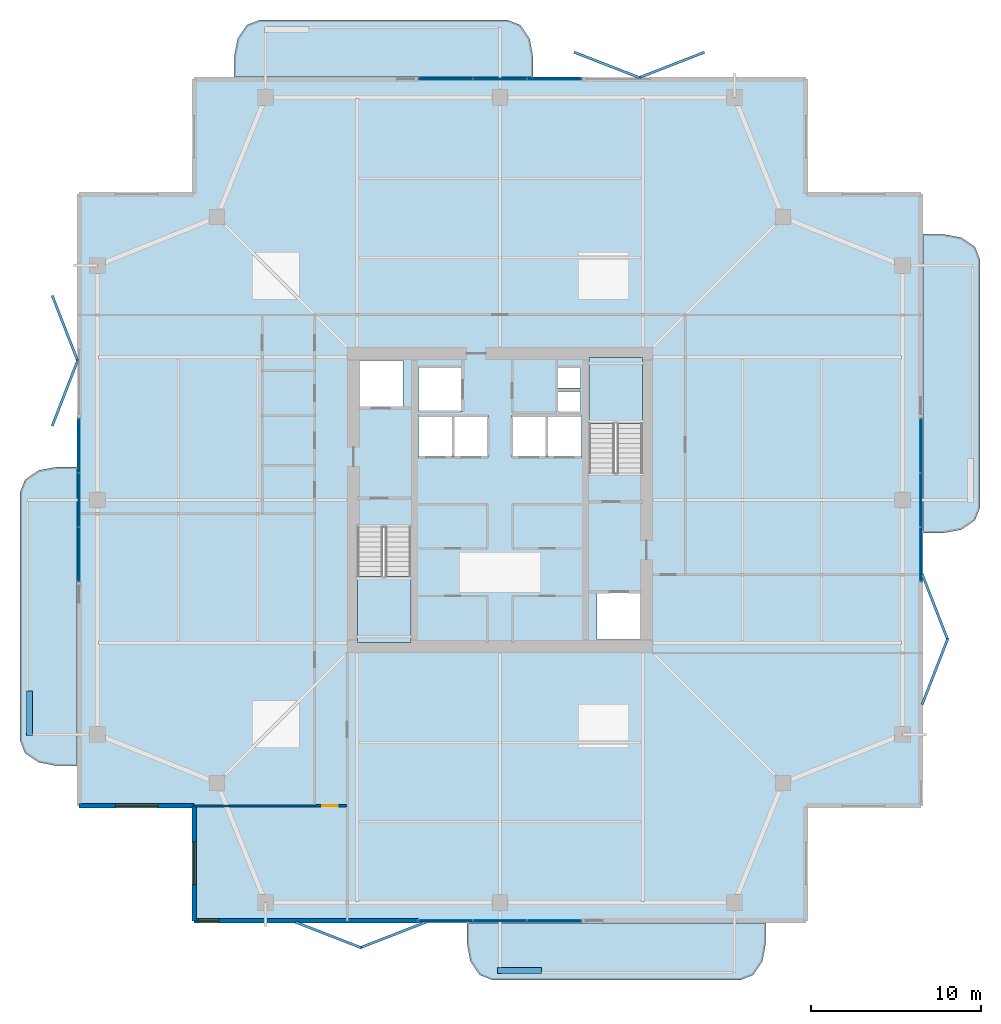
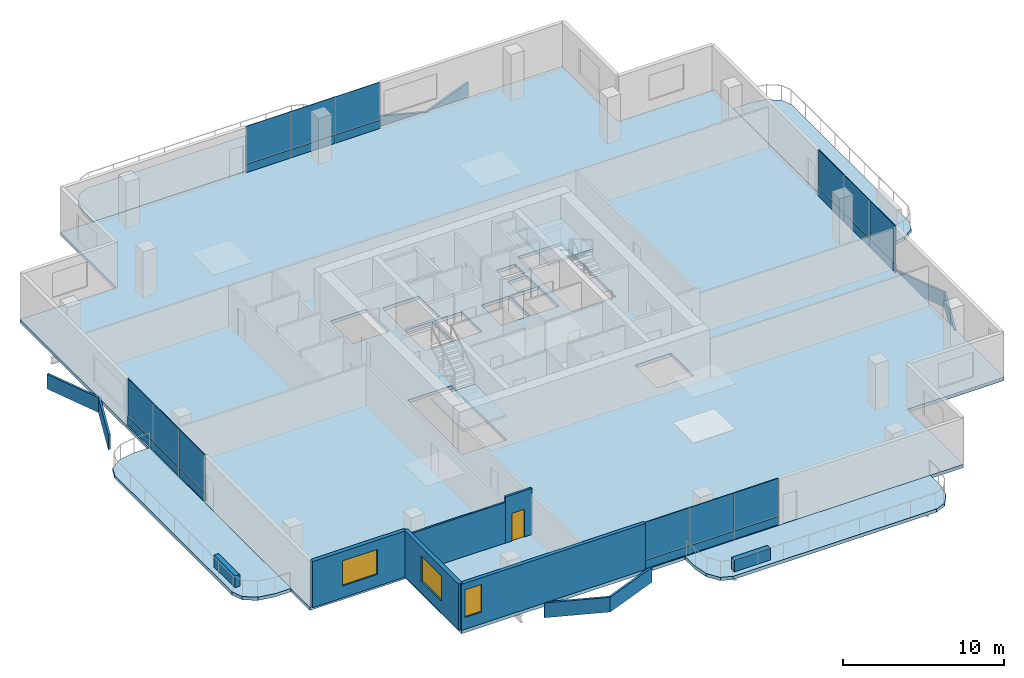
# One storey, part 17 of 24: 32 plates, 7 slabs, 7 walls, 3 windows, 1 door, 4 openings, 6 elements without a shape of their own.
"""IFC4 building model written with IfcOpenShell, lengths in metres."""

import ifcopenshell
import ifcopenshell.guid

model = None  # the IFC model being written
_history = None  # IfcOwnerHistory: only IFC2X3 demands one
_inside = {}  # id of a spatial element -> (the spatial element, [elements in it])
_under = {}  # id of a project, library or spatial element -> (it, [spatial elements below it])
_declared = {}  # id of a project -> (the project, [libraries it declares])
_typed = {}  # id of a type object -> (the type object, [elements of that type])
_made_of = {}  # id of a material, layer set ... -> (it, [elements and type objects made of it])


def new_model(schema):
    """Start an empty IFC model of exactly this schema.

    Asked for "IFC4X3", IfcOpenShell would pick the latest addendum, in which some entities
    have other attributes; the version numbers below select the first issue.
    IFC2X3 requires an IfcOwnerHistory on every rooted entity: one is made here for all.
    """
    global model, _history
    if schema == "IFC4X3":
        model = ifcopenshell.file(schema_version=(4, 3, 0, 0))
    else:
        model = ifcopenshell.file(schema=schema)
    _inside.clear()
    _under.clear()
    _declared.clear()
    _typed.clear()
    _made_of.clear()
    _history = None
    if model.schema == "IFC2X3":
        org = make("IfcOrganization", Name="unknown")
        user = make(
            "IfcPersonAndOrganization",
            ThePerson=make("IfcPerson", FamilyName="unknown"),
            TheOrganization=org,
        )
        app = make(
            "IfcApplication",
            ApplicationDeveloper=org,
            Version="unknown",
            ApplicationFullName="unknown",
            ApplicationIdentifier="unknown",
        )
        _history = make(
            "IfcOwnerHistory",
            OwningUser=user,
            OwningApplication=app,
            ChangeAction="ADDED",
            CreationDate=0,
        )
    return model


def make(cls, **values):
    """One entity of the class cls with the attributes given. An attribute that is None is left unset."""
    return model.create_entity(
        cls, **{name: value for name, value in values.items() if value is not None}
    )


def rooted(cls, **values):
    """An entity with a GlobalId (a new one), such as an element, a storey or a relation."""
    return make(cls, GlobalId=ifcopenshell.guid.new(), OwnerHistory=_history, **values)


def si_unit(unit_type, name, prefix=None):
    """IfcSIUnit, for example si_unit("LENGTHUNIT", "METRE", prefix="MILLI")."""
    return make("IfcSIUnit", UnitType=unit_type, Prefix=prefix, Name=name)


def assignment(units):
    """IfcUnitAssignment: the units of a project."""
    return None if units is None else make("IfcUnitAssignment", Units=units)


def point(xyz):
    """IfcCartesianPoint."""
    return None if xyz is None else make("IfcCartesianPoint", Coordinates=xyz)


def direction(xyz):
    """IfcDirection."""
    return None if xyz is None else make("IfcDirection", DirectionRatios=xyz)


def frame(location, z_axis=None, x_axis=None):
    """IfcAxis2Placement3D, a coordinate frame: its origin and axes. An axis left out is left unset."""
    return make(
        "IfcAxis2Placement3D",
        Location=point(location),
        Axis=direction(z_axis),
        RefDirection=direction(x_axis),
    )


def frame_2d(location, x_axis=None):
    """IfcAxis2Placement2D, a coordinate frame in the plane: its origin and x axis."""
    return make(
        "IfcAxis2Placement2D", Location=point(location), RefDirection=direction(x_axis)
    )


def origin():
    """The frame at (0, 0, 0) with its axes left unset."""
    return frame((0.0, 0.0, 0.0))


def origin_2d():
    """The frame at (0, 0) in the plane with its x axis left unset."""
    return frame_2d((0.0, 0.0))


def place(relative_to, where):
    """IfcLocalPlacement: puts the frame where relative to a parent placement (None: the world)."""
    return make(
        "IfcLocalPlacement", PlacementRelTo=relative_to, RelativePlacement=where
    )


def context(
    kind, dimensions, precision=None, world=None, true_north=None, identifier=None
):
    """IfcGeometricRepresentationContext, for example the 3D "Model" context."""
    return make(
        "IfcGeometricRepresentationContext",
        ContextIdentifier=identifier,
        ContextType=kind,
        CoordinateSpaceDimension=dimensions,
        Precision=precision,
        WorldCoordinateSystem=world,
        TrueNorth=true_north,
    )


def subcontext(parent, identifier, kind, view, scale=None):
    """IfcGeometricRepresentationSubContext, for example "Body" below "Model"."""
    return make(
        "IfcGeometricRepresentationSubContext",
        ContextIdentifier=identifier,
        ContextType=kind,
        ParentContext=parent,
        TargetScale=scale,
        TargetView=view,
    )


def project(units=None, contexts=None):
    """IfcProject with its units and contexts."""
    return rooted(
        "IfcProject",
        Name="project",
        RepresentationContexts=contexts,
        UnitsInContext=assignment(units),
    )


def spatial(cls, under=None, at=None, **own):
    """A site, building, storey or space (cls), placed at a placement, below another one or the project."""
    s = rooted(cls, ObjectPlacement=at, **own)
    if under is not None:
        _under.setdefault(under.id(), (under, []))[1].append(s)
    return s


def polyline(points):
    """IfcPolyline through the points."""
    return make("IfcPolyline", Points=[point(p) for p in points])


def profile(cls, at=None, kind="AREA", **sizes):
    """A parametric profile (cls). Its sizes go by their IFC names, for example OverallWidth=200.0."""
    return make(cls, ProfileType=kind, Position=at, **sizes)


def rectangle(**sizes):
    """IfcRectangleProfileDef."""
    return profile("IfcRectangleProfileDef", **sizes)


def outline(outer, holes=None, kind="AREA"):
    """IfcArbitraryClosedProfileDef: a profile drawn as a closed curve; with holes, ...WithVoids."""
    if holes is None:
        return make("IfcArbitraryClosedProfileDef", ProfileType=kind, OuterCurve=outer)
    return make(
        "IfcArbitraryProfileDefWithVoids",
        ProfileType=kind,
        OuterCurve=outer,
        InnerCurves=holes,
    )


def extrude(swept, where, along, depth):
    """IfcExtrudedAreaSolid: the profile swept, set in the frame where, extruded along a direction by depth."""
    return make(
        "IfcExtrudedAreaSolid",
        SweptArea=swept,
        Position=where,
        ExtrudedDirection=direction(along),
        Depth=depth,
    )


def shape(context_of_items, identifier, shape_type, items):
    """IfcShapeRepresentation: the items that make up one representation, for example the "Body"."""
    return make(
        "IfcShapeRepresentation",
        ContextOfItems=context_of_items,
        RepresentationIdentifier=identifier,
        RepresentationType=shape_type,
        Items=items,
    )


def material(Name=None, Category=None):
    """IfcMaterial."""
    return make("IfcMaterial", Name=Name, Category=Category)


def layer(
    of_material, thickness, ventilated=None, Name=None, Category=None, Priority=None
):
    """IfcMaterialLayer: one layer of a wall or slab, of a material (None: an air gap)."""
    return make(
        "IfcMaterialLayer",
        Material=of_material,
        LayerThickness=thickness,
        IsVentilated=ventilated,
        Name=Name,
        Category=Category,
        Priority=Priority,
    )


def layer_set(layers, Name=None):
    """IfcMaterialLayerSet."""
    return make("IfcMaterialLayerSet", MaterialLayers=layers, LayerSetName=Name)


def made_of(thing, what):
    """Note that an element or type object is made of a material, layer set ...; save() writes the relation."""
    if what is not None:
        _made_of.setdefault(what.id(), (what, []))[1].append(thing)
    return thing


def type_object(cls, material=None, **own):
    """A type object (cls), such as IfcWallType, which elements share."""
    return made_of(rooted(cls, **own), material)


def element(
    cls,
    number,
    at=None,
    inside=None,
    cuts=None,
    type_object=None,
    material=None,
    context=None,
    identifier="Body",
    shape_type=None,
    held_by="IfcProductDefinitionShape",
    body=None,
    shapes=None,
    **own,
):
    """One element of the class cls, such as IfcWall. Its Tag is "e" and its number.

    at: its placement. inside: the storey or other place that contains it. cuts: it is an
    opening in that element (IfcRelVoidsElement). A single representation is given by context,
    identifier, shape_type and body (its items); several are given by shapes. held_by: the class
    of the entity that holds the representations. save() writes the other relations.
    """
    e = rooted(cls, Tag="e%d" % number, ObjectPlacement=at, **own)
    if body is not None:
        shapes = [shape(context, identifier, shape_type, body)]
    if shapes is not None:
        e.Representation = make(held_by, Representations=shapes)
    if inside is not None:
        _inside.setdefault(inside.id(), (inside, []))[1].append(e)
    if cuts is not None:
        rooted(
            "IfcRelVoidsElement", RelatingBuildingElement=cuts, RelatedOpeningElement=e
        )
    if type_object is not None:
        _typed.setdefault(type_object.id(), (type_object, []))[1].append(e)
    return made_of(e, material)


def fill(opening, filler):
    """IfcRelFillsElement: the door or window that sits in an opening."""
    return rooted(
        "IfcRelFillsElement",
        RelatingOpeningElement=opening,
        RelatedBuildingElement=filler,
    )


def aggregate(whole, parts):
    """IfcRelAggregates: a whole, such as a stair, and the parts it consists of."""
    return rooted("IfcRelAggregates", RelatingObject=whole, RelatedObjects=parts)


def save(model, path):
    """Write the relations noted so far, then the file.

    IfcRelAggregates (storeys below a building ...), IfcRelContainedInSpatialStructure (elements
    in a storey), IfcRelDefinesByType, IfcRelAssociatesMaterial and IfcRelDeclares: one each for
    every whole, place, type object, material and project.
    """
    for whole, parts in _under.values():
        aggregate(whole, parts)
    for where, things in _inside.values():
        rooted(
            "IfcRelContainedInSpatialStructure",
            RelatedElements=things,
            RelatingStructure=where,
        )
    for kind, things in _typed.values():
        rooted("IfcRelDefinesByType", RelatedObjects=things, RelatingType=kind)
    for what, things in _made_of.values():
        rooted("IfcRelAssociatesMaterial", RelatedObjects=things, RelatingMaterial=what)
    for by, libraries in _declared.values():
        rooted("IfcRelDeclares", RelatingContext=by, RelatedDefinitions=libraries)
    model.write(path)


model = new_model("IFC4")

# Units and contexts
model_context = context("Model", 3, precision=1e-05, world=origin(), true_north=direction((0.0, 1.0)))
body_context = subcontext(model_context, "Body", "Model", "MODEL_VIEW")
ifc_project = project(units=[si_unit("LENGTHUNIT", "METRE"), si_unit("AREAUNIT", "SQUARE_METRE"), si_unit("VOLUMEUNIT", "CUBIC_METRE"), si_unit("PLANEANGLEUNIT", "RADIAN"), si_unit("MASSUNIT", "GRAM", prefix="KILO")], contexts=[model_context])

# Site, building, storey
site_placement = place(None, origin())
site = spatial("IfcSite", under=ifc_project, at=site_placement, CompositionType="ELEMENT")
building_placement = place(site_placement, origin())
building = spatial("IfcBuilding", under=site, at=building_placement, Name="Belovzor Exchange Tower", CompositionType="ELEMENT")
storey_placement = place(building_placement, frame((0.0, 0.0, 261.60009765625)))
storey = spatial("IfcBuildingStorey", under=building, at=storey_placement, Name="L65", CompositionType="ELEMENT", Elevation=261.60009765625)

# Slab
ifc_material_1 = material(Name="Concrete C40/50", Category="concrete")
ifc_layer_1 = layer(ifc_material_1, 0.25)
ifc_layer_set_1 = layer_set([ifc_layer_1], Name="Concrete C40/50")
slab_type_1 = type_object("IfcSlabType", Name="Composite Concrete Floor Deck Slab 250", PredefinedType="FLOOR", material=ifc_layer_set_1)
slab_1_placement = place(storey_placement, frame((0.0, 0.0, -0.25)))
element("IfcSlab", 1, at=slab_1_placement, inside=storey, type_object=slab_type_1, Name="SL-F250 Structural Slab L65", PredefinedType="FLOOR", context=body_context, shape_type="SweptSolid", body=[
    extrude(outline(polyline([(10.800048828125, 3.89990234375), (46.800048828125, 3.89990234375), (46.800048828125, 10.800048828125), (53.699951171875, 10.800048828125), (53.699951171875, 46.800048828125), (46.800048828125, 46.800048828125), (46.800048828125, 53.699951171875), (10.800048828125, 53.699951171875), (10.800048828125, 46.800048828125), (3.89990234375, 46.800048828125), (3.89990234375, 10.800048828125), (10.800048828125, 10.800048828125), (10.800048828125, 3.89990234375)]), holes=[polyline([(20.39990234375, 27.175048828125), (20.39990234375, 20.39990234375), (23.550048828125, 20.39990234375), (23.550048828125, 27.175048828125), (20.39990234375, 27.175048828125)]), polyline([(37.199951171875, 30.425048828125), (37.199951171875, 37.199951171875), (34.050048828125, 37.199951171875), (34.050048828125, 30.425048828125), (37.199951171875, 30.425048828125)]), polyline([(20.5, 34.199951171875), (23.10009765625, 34.199951171875), (23.10009765625, 37.0), (20.5, 37.0), (20.5, 34.199951171875)]), polyline([(34.5, 20.60009765625), (37.10009765625, 20.60009765625), (37.10009765625, 23.39990234375), (34.5, 23.39990234375), (34.5, 20.60009765625)]), polyline([(24.0, 34.0), (26.60009765625, 34.0), (26.60009765625, 36.60009765625), (24.0, 36.60009765625), (24.0, 34.0)]), polyline([(24.0, 31.300048828125), (26.0, 31.300048828125), (26.0, 33.800048828125), (24.0, 33.800048828125), (24.0, 31.300048828125)]), polyline([(26.10009765625, 31.300048828125), (28.10009765625, 31.300048828125), (28.10009765625, 33.800048828125), (26.10009765625, 33.800048828125), (26.10009765625, 31.300048828125)]), polyline([(29.5, 31.300048828125), (31.5, 31.300048828125), (31.5, 33.800048828125), (29.5, 33.800048828125), (29.5, 31.300048828125)]), polyline([(31.60009765625, 31.300048828125), (33.60009765625, 31.300048828125), (33.60009765625, 33.800048828125), (31.60009765625, 33.800048828125), (31.60009765625, 31.300048828125)]), polyline([(32.199951171875, 34.0), (33.550048828125, 34.0), (33.550048828125, 35.199951171875), (32.199951171875, 35.199951171875), (32.199951171875, 34.0)]), polyline([(32.199951171875, 35.39990234375), (33.550048828125, 35.39990234375), (33.550048828125, 36.60009765625), (32.199951171875, 36.60009765625), (32.199951171875, 35.39990234375)])]), origin(), (0.0, 0.0, 1.0), 0.25),
])

# Curtain wall, plates
ifc_material_2 = material(Name="Anodised Aluminium Framing", Category="aluminium")
ifc_layer_2 = layer(ifc_material_2, 0.179931640625)
ifc_layer_set_2 = layer_set([ifc_layer_2], Name="Anodised Aluminium Framing")
curtain_wall_type = type_object("IfcCurtainWallType", Name="Recessed Loggia Low-Iron Triple-Glazed Curtain Wall", PredefinedType="NOTDEFINED", material=ifc_layer_set_2)
curtain_wall_1_placement = place(storey_placement, origin())
curtain_wall_1 = element("IfcCurtainWall", 2, at=curtain_wall_1_placement, inside=storey, type_object=curtain_wall_type, Name="CW3 Recessed Loggia Low-Iron Triple-Glazed Curtain Wall L65", PredefinedType="NOTDEFINED")
ifc_material_3 = material(Name="Solar-Control Triple Glazing", Category="glass")
ifc_layer_3 = layer(ifc_material_3, 0.0439453125)
ifc_layer_set_3 = layer_set([ifc_layer_3], Name="Solar-Control Triple Glazing")
plate_type_1 = type_object("IfcPlateType", Name="Insulated Solar Glazing Curtain Panel 44", PredefinedType="CURTAIN_PANEL", material=ifc_layer_set_3)
plate_1_placement = place(storey_placement, frame((32.0, 4.030029296875, 0.6318359375), z_axis=(0.0, 0.0, 1.0), x_axis=(-1.0, 0.0, 0.0)))
plate_1 = element("IfcPlate", 3, at=plate_1_placement, type_object=plate_type_1, Name="GLZ-44 Glazed Curtain Panel 1", PredefinedType="CURTAIN_PANEL", context=body_context, shape_type="SweptSolid", body=[
    extrude(rectangle(XDim=3.18408203125, YDim=0.0439453125, at=origin_2d()), origin(), (0.0, 0.0, 1.0), 2.867919921875),
])
plate_2_placement = place(storey_placement, frame((28.800048828125, 4.030029296875, 0.6318359375), z_axis=(0.0, 0.0, 1.0), x_axis=(-1.0, 0.0, 0.0)))
plate_2 = element("IfcPlate", 4, at=plate_2_placement, type_object=plate_type_1, Name="GLZ-44 Glazed Curtain Panel 2", PredefinedType="CURTAIN_PANEL", context=body_context, shape_type="SweptSolid", body=[
    extrude(rectangle(XDim=3.18408203125, YDim=0.0439453125, at=origin_2d()), origin(), (0.0, 0.0, 1.0), 2.867919921875),
])
plate_3_placement = place(storey_placement, frame((25.60009765625, 4.030029296875, 0.6318359375), z_axis=(0.0, 0.0, 1.0), x_axis=(-1.0, 0.0, 0.0)))
plate_3 = element("IfcPlate", 5, at=plate_3_placement, type_object=plate_type_1, Name="GLZ-44 Glazed Curtain Panel 3", PredefinedType="CURTAIN_PANEL", context=body_context, shape_type="SweptSolid", body=[
    extrude(rectangle(XDim=3.18408203125, YDim=0.0439453125, at=origin_2d()), origin(), (0.0, 0.0, 1.0), 2.867919921875),
])

curtain_wall_2_placement = place(storey_placement, origin())
curtain_wall_2 = element("IfcCurtainWall", 6, at=curtain_wall_2_placement, inside=storey, type_object=curtain_wall_type, Name="CW3 Recessed Loggia Low-Iron Triple-Glazed Curtain Wall L65", PredefinedType="NOTDEFINED")
plate_4_placement = place(storey_placement, frame((25.60009765625, 53.570068359375, 0.6318359375), z_axis=(0.0, 0.0, 1.0), x_axis=(1.0, 0.0, 0.0)))
plate_4 = element("IfcPlate", 7, at=plate_4_placement, type_object=plate_type_1, Name="GLZ-44 Glazed Curtain Panel 1", PredefinedType="CURTAIN_PANEL", context=body_context, shape_type="SweptSolid", body=[
    extrude(rectangle(XDim=3.18408203125, YDim=0.0439453125, at=origin_2d()), origin(), (0.0, 0.0, 1.0), 2.867919921875),
])
plate_5_placement = place(storey_placement, frame((28.800048828125, 53.570068359375, 0.6318359375), z_axis=(0.0, 0.0, 1.0), x_axis=(1.0, 0.0, 0.0)))
plate_5 = element("IfcPlate", 8, at=plate_5_placement, type_object=plate_type_1, Name="GLZ-44 Glazed Curtain Panel 2", PredefinedType="CURTAIN_PANEL", context=body_context, shape_type="SweptSolid", body=[
    extrude(rectangle(XDim=3.18408203125, YDim=0.0439453125, at=origin_2d()), origin(), (0.0, 0.0, 1.0), 2.867919921875),
])
plate_6_placement = place(storey_placement, frame((32.0, 53.570068359375, 0.6318359375), z_axis=(0.0, 0.0, 1.0), x_axis=(1.0, 0.0, 0.0)))
plate_6 = element("IfcPlate", 9, at=plate_6_placement, type_object=plate_type_1, Name="GLZ-44 Glazed Curtain Panel 3", PredefinedType="CURTAIN_PANEL", context=body_context, shape_type="SweptSolid", body=[
    extrude(rectangle(XDim=3.18408203125, YDim=0.0439453125, at=origin_2d()), origin(), (0.0, 0.0, 1.0), 2.867919921875),
])

curtain_wall_3_placement = place(storey_placement, origin())
curtain_wall_3 = element("IfcCurtainWall", 10, at=curtain_wall_3_placement, inside=storey, type_object=curtain_wall_type, Name="CW3 Recessed Loggia Low-Iron Triple-Glazed Curtain Wall L65", PredefinedType="NOTDEFINED")
plate_7_placement = place(storey_placement, frame((4.030029296875, 25.60009765625, 0.6318359375), z_axis=(0.0, 0.0, 1.0), x_axis=(0.0, 1.0, 0.0)))
plate_7 = element("IfcPlate", 11, at=plate_7_placement, type_object=plate_type_1, Name="GLZ-44 Glazed Curtain Panel 1", PredefinedType="CURTAIN_PANEL", context=body_context, shape_type="SweptSolid", body=[
    extrude(rectangle(XDim=3.18408203125, YDim=0.0439453125, at=origin_2d()), origin(), (0.0, 0.0, 1.0), 2.867919921875),
])
plate_8_placement = place(storey_placement, frame((4.030029296875, 28.800048828125, 0.6318359375), z_axis=(0.0, 0.0, 1.0), x_axis=(0.0, 1.0, 0.0)))
plate_8 = element("IfcPlate", 12, at=plate_8_placement, type_object=plate_type_1, Name="GLZ-44 Glazed Curtain Panel 2", PredefinedType="CURTAIN_PANEL", context=body_context, shape_type="SweptSolid", body=[
    extrude(rectangle(XDim=3.18408203125, YDim=0.0439453125, at=origin_2d()), origin(), (0.0, 0.0, 1.0), 2.867919921875),
])
plate_9_placement = place(storey_placement, frame((4.030029296875, 32.0, 0.6318359375), z_axis=(0.0, 0.0, 1.0), x_axis=(0.0, 1.0, 0.0)))
plate_9 = element("IfcPlate", 13, at=plate_9_placement, type_object=plate_type_1, Name="GLZ-44 Glazed Curtain Panel 3", PredefinedType="CURTAIN_PANEL", context=body_context, shape_type="SweptSolid", body=[
    extrude(rectangle(XDim=3.18408203125, YDim=0.0439453125, at=origin_2d()), origin(), (0.0, 0.0, 1.0), 2.867919921875),
])

curtain_wall_4_placement = place(storey_placement, origin())
curtain_wall_4 = element("IfcCurtainWall", 14, at=curtain_wall_4_placement, inside=storey, type_object=curtain_wall_type, Name="CW3 Recessed Loggia Low-Iron Triple-Glazed Curtain Wall L65", PredefinedType="NOTDEFINED")
plate_10_placement = place(storey_placement, frame((53.570068359375, 32.0, 0.6318359375), z_axis=(0.0, 0.0, 1.0), x_axis=(0.0, -1.0, 0.0)))
plate_10 = element("IfcPlate", 15, at=plate_10_placement, type_object=plate_type_1, Name="GLZ-44 Glazed Curtain Panel 1", PredefinedType="CURTAIN_PANEL", context=body_context, shape_type="SweptSolid", body=[
    extrude(rectangle(XDim=3.18408203125, YDim=0.0439453125, at=origin_2d()), origin(), (0.0, 0.0, 1.0), 2.867919921875),
])
plate_11_placement = place(storey_placement, frame((53.570068359375, 28.800048828125, 0.6318359375), z_axis=(0.0, 0.0, 1.0), x_axis=(0.0, -1.0, 0.0)))
plate_11 = element("IfcPlate", 16, at=plate_11_placement, type_object=plate_type_1, Name="GLZ-44 Glazed Curtain Panel 2", PredefinedType="CURTAIN_PANEL", context=body_context, shape_type="SweptSolid", body=[
    extrude(rectangle(XDim=3.18408203125, YDim=0.0439453125, at=origin_2d()), origin(), (0.0, 0.0, 1.0), 2.867919921875),
])
plate_12_placement = place(storey_placement, frame((53.570068359375, 25.60009765625, 0.6318359375), z_axis=(0.0, 0.0, 1.0), x_axis=(0.0, -1.0, 0.0)))
plate_12 = element("IfcPlate", 17, at=plate_12_placement, type_object=plate_type_1, Name="GLZ-44 Glazed Curtain Panel 3", PredefinedType="CURTAIN_PANEL", context=body_context, shape_type="SweptSolid", body=[
    extrude(rectangle(XDim=3.18408203125, YDim=0.0439453125, at=origin_2d()), origin(), (0.0, 0.0, 1.0), 2.867919921875),
])

# Stair, slab
ifc_material_4 = material(Name="Concrete C40/50", Category="concrete")
stair_type = type_object("IfcStairType", Name="Reinforced Concrete Dogleg Escape Stair 1350", PredefinedType="HALF_TURN_STAIR", material=ifc_material_4)
stair_1_placement = place(storey_placement, origin())
stair_1 = element("IfcStair", 18, at=stair_1_placement, inside=storey, type_object=stair_type, Name="L65 ST-1", PredefinedType="HALF_TURN_STAIR")
ifc_material_5 = material(Name="Concrete C40/50", Category="concrete")
ifc_layer_4 = layer(ifc_material_5, 0.199951171875)
ifc_layer_set_4 = layer_set([ifc_layer_4], Name="Concrete C40/50")
slab_type_2 = type_object("IfcSlabType", Name="Reinforced Concrete Stair Half-Landing Slab 200", PredefinedType="LANDING", material=ifc_layer_set_4)
slab_2_placement = place(storey_placement, frame((0.0, 0.0, 1.6748046875)))
slab_2 = element("IfcSlab", 19, at=slab_2_placement, type_object=slab_type_2, Name="ST-1 landing 1", PredefinedType="LANDING", context=body_context, shape_type="SweptSolid", body=[
    extrude(outline(polyline([(20.39990234375, 24.300048828125), (20.39990234375, 20.39990234375), (23.550048828125, 20.39990234375), (23.550048828125, 24.300048828125), (20.39990234375, 24.300048828125)])), origin(), (0.0, 0.0, 1.0), 0.2001953125),
])
aggregate(stair_1, [slab_2])

stair_2_placement = place(storey_placement, origin())
stair_2 = element("IfcStair", 20, at=stair_2_placement, inside=storey, type_object=stair_type, Name="L65 ST-2", PredefinedType="HALF_TURN_STAIR")
slab_3_placement = place(storey_placement, frame((0.0, 0.0, 1.6748046875)))
slab_3 = element("IfcSlab", 21, at=slab_3_placement, type_object=slab_type_2, Name="ST-2 landing 1", PredefinedType="LANDING", context=body_context, shape_type="SweptSolid", body=[
    extrude(outline(polyline([(37.199951171875, 33.300048828125), (37.199951171875, 37.199951171875), (34.050048828125, 37.199951171875), (34.050048828125, 33.300048828125), (37.199951171875, 33.300048828125)])), origin(), (0.0, 0.0, 1.0), 0.2001953125),
])
aggregate(stair_2, [slab_3])

# Plate
ifc_material_6 = material(Name="Extruded Architectural Terracotta", Category="masonry")
ifc_layer_5 = layer(ifc_material_6, 0.090087890625)
ifc_layer_set_5 = layer_set([ifc_layer_5], Name="Extruded Architectural Terracotta")
plate_type_2 = type_object("IfcPlateType", Name="Terracotta Shadow-Box Spandrel Panel 90", PredefinedType="CURTAIN_PANEL", material=ifc_layer_set_5)
plate_13_placement = place(storey_placement, frame((32.0, 4.030029296875, 0.0), z_axis=(0.0, 0.0, 1.0), x_axis=(-1.0, 0.0, 0.0)))
plate_13 = element("IfcPlate", 22, at=plate_13_placement, type_object=plate_type_2, Name="SPD-90 Spandrel Panel 1", PredefinedType="CURTAIN_PANEL", context=body_context, shape_type="SweptSolid", body=[
    extrude(rectangle(XDim=3.18408203125, YDim=0.090087890625, at=origin_2d()), origin(), (0.0, 0.0, 1.0), 0.6279296875),
])

plate_14_placement = place(storey_placement, frame((28.800048828125, 4.030029296875, 0.0), z_axis=(0.0, 0.0, 1.0), x_axis=(-1.0, 0.0, 0.0)))
plate_14 = element("IfcPlate", 23, at=plate_14_placement, type_object=plate_type_2, Name="SPD-90 Spandrel Panel 2", PredefinedType="CURTAIN_PANEL", context=body_context, shape_type="SweptSolid", body=[
    extrude(rectangle(XDim=3.18408203125, YDim=0.090087890625, at=origin_2d()), origin(), (0.0, 0.0, 1.0), 0.6279296875),
])

plate_15_placement = place(storey_placement, frame((25.60009765625, 4.030029296875, 0.0), z_axis=(0.0, 0.0, 1.0), x_axis=(-1.0, 0.0, 0.0)))
plate_15 = element("IfcPlate", 24, at=plate_15_placement, type_object=plate_type_2, Name="SPD-90 Spandrel Panel 3", PredefinedType="CURTAIN_PANEL", context=body_context, shape_type="SweptSolid", body=[
    extrude(rectangle(XDim=3.18408203125, YDim=0.090087890625, at=origin_2d()), origin(), (0.0, 0.0, 1.0), 0.6279296875),
])

aggregate(curtain_wall_1, [plate_13, plate_1, plate_14, plate_2, plate_15, plate_3])

plate_16_placement = place(storey_placement, frame((25.60009765625, 53.570068359375, 0.0), z_axis=(0.0, 0.0, 1.0), x_axis=(1.0, 0.0, 0.0)))
plate_16 = element("IfcPlate", 25, at=plate_16_placement, type_object=plate_type_2, Name="SPD-90 Spandrel Panel 1", PredefinedType="CURTAIN_PANEL", context=body_context, shape_type="SweptSolid", body=[
    extrude(rectangle(XDim=3.18408203125, YDim=0.090087890625, at=origin_2d()), origin(), (0.0, 0.0, 1.0), 0.6279296875),
])

plate_17_placement = place(storey_placement, frame((28.800048828125, 53.570068359375, 0.0), z_axis=(0.0, 0.0, 1.0), x_axis=(1.0, 0.0, 0.0)))
plate_17 = element("IfcPlate", 26, at=plate_17_placement, type_object=plate_type_2, Name="SPD-90 Spandrel Panel 2", PredefinedType="CURTAIN_PANEL", context=body_context, shape_type="SweptSolid", body=[
    extrude(rectangle(XDim=3.18408203125, YDim=0.090087890625, at=origin_2d()), origin(), (0.0, 0.0, 1.0), 0.6279296875),
])

plate_18_placement = place(storey_placement, frame((32.0, 53.570068359375, 0.0), z_axis=(0.0, 0.0, 1.0), x_axis=(1.0, 0.0, 0.0)))
plate_18 = element("IfcPlate", 27, at=plate_18_placement, type_object=plate_type_2, Name="SPD-90 Spandrel Panel 3", PredefinedType="CURTAIN_PANEL", context=body_context, shape_type="SweptSolid", body=[
    extrude(rectangle(XDim=3.18408203125, YDim=0.090087890625, at=origin_2d()), origin(), (0.0, 0.0, 1.0), 0.6279296875),
])

aggregate(curtain_wall_2, [plate_16, plate_4, plate_17, plate_5, plate_18, plate_6])

plate_19_placement = place(storey_placement, frame((4.030029296875, 25.60009765625, 0.0), z_axis=(0.0, 0.0, 1.0), x_axis=(0.0, 1.0, 0.0)))
plate_19 = element("IfcPlate", 28, at=plate_19_placement, type_object=plate_type_2, Name="SPD-90 Spandrel Panel 1", PredefinedType="CURTAIN_PANEL", context=body_context, shape_type="SweptSolid", body=[
    extrude(rectangle(XDim=3.18408203125, YDim=0.090087890625, at=origin_2d()), origin(), (0.0, 0.0, 1.0), 0.6279296875),
])

plate_20_placement = place(storey_placement, frame((4.030029296875, 28.800048828125, 0.0), z_axis=(0.0, 0.0, 1.0), x_axis=(0.0, 1.0, 0.0)))
plate_20 = element("IfcPlate", 29, at=plate_20_placement, type_object=plate_type_2, Name="SPD-90 Spandrel Panel 2", PredefinedType="CURTAIN_PANEL", context=body_context, shape_type="SweptSolid", body=[
    extrude(rectangle(XDim=3.18408203125, YDim=0.090087890625, at=origin_2d()), origin(), (0.0, 0.0, 1.0), 0.6279296875),
])

plate_21_placement = place(storey_placement, frame((4.030029296875, 32.0, 0.0), z_axis=(0.0, 0.0, 1.0), x_axis=(0.0, 1.0, 0.0)))
plate_21 = element("IfcPlate", 30, at=plate_21_placement, type_object=plate_type_2, Name="SPD-90 Spandrel Panel 3", PredefinedType="CURTAIN_PANEL", context=body_context, shape_type="SweptSolid", body=[
    extrude(rectangle(XDim=3.18408203125, YDim=0.090087890625, at=origin_2d()), origin(), (0.0, 0.0, 1.0), 0.6279296875),
])

aggregate(curtain_wall_3, [plate_19, plate_7, plate_20, plate_8, plate_21, plate_9])

plate_22_placement = place(storey_placement, frame((53.570068359375, 32.0, 0.0), z_axis=(0.0, 0.0, 1.0), x_axis=(0.0, -1.0, 0.0)))
plate_22 = element("IfcPlate", 31, at=plate_22_placement, type_object=plate_type_2, Name="SPD-90 Spandrel Panel 1", PredefinedType="CURTAIN_PANEL", context=body_context, shape_type="SweptSolid", body=[
    extrude(rectangle(XDim=3.18408203125, YDim=0.090087890625, at=origin_2d()), origin(), (0.0, 0.0, 1.0), 0.6279296875),
])

plate_23_placement = place(storey_placement, frame((53.570068359375, 28.800048828125, 0.0), z_axis=(0.0, 0.0, 1.0), x_axis=(0.0, -1.0, 0.0)))
plate_23 = element("IfcPlate", 32, at=plate_23_placement, type_object=plate_type_2, Name="SPD-90 Spandrel Panel 2", PredefinedType="CURTAIN_PANEL", context=body_context, shape_type="SweptSolid", body=[
    extrude(rectangle(XDim=3.18408203125, YDim=0.090087890625, at=origin_2d()), origin(), (0.0, 0.0, 1.0), 0.6279296875),
])

plate_24_placement = place(storey_placement, frame((53.570068359375, 25.60009765625, 0.0), z_axis=(0.0, 0.0, 1.0), x_axis=(0.0, -1.0, 0.0)))
plate_24 = element("IfcPlate", 33, at=plate_24_placement, type_object=plate_type_2, Name="SPD-90 Spandrel Panel 3", PredefinedType="CURTAIN_PANEL", context=body_context, shape_type="SweptSolid", body=[
    extrude(rectangle(XDim=3.18408203125, YDim=0.090087890625, at=origin_2d()), origin(), (0.0, 0.0, 1.0), 0.6279296875),
])

aggregate(curtain_wall_4, [plate_22, plate_10, plate_23, plate_11, plate_24, plate_12])

# Slabs
ifc_material_7 = material(Name="Concrete C40/50", Category="concrete")
ifc_layer_6 = layer(ifc_material_7, 0.25)
ifc_layer_set_6 = layer_set([ifc_layer_6], Name="Concrete C40/50")
slab_type_3 = type_object("IfcSlabType", Name="Thermally Broken Planted Balcony Slab 250", PredefinedType="FLOOR", material=ifc_layer_set_6)
slab_4_placement = place(storey_placement, frame((0.0, 0.0, -0.25)))
element("IfcSlab", 34, at=slab_4_placement, inside=storey, type_object=slab_type_3, Name="SL-BAL220 Planted Balcony Loggia L65 South", PredefinedType="FLOOR", context=body_context, shape_type="SweptSolid", body=[
    extrude(outline(polyline([(26.85009765625, 3.9150390625), (26.85009765625, 2.75), (27.051025390625, 1.64990234375), (27.60009765625, 0.844970703125), (28.35009765625, 0.550048828125), (42.949951171875, 0.550048828125), (43.699951171875, 0.844970703125), (44.2490234375, 1.64990234375), (44.449951171875, 2.75), (44.449951171875, 3.9150390625), (26.85009765625, 3.9150390625)])), origin(), (0.0, 0.0, 1.0), 0.25),
])
slab_5_placement = place(storey_placement, frame((0.0, 0.0, -0.25)))
element("IfcSlab", 35, at=slab_5_placement, inside=storey, type_object=slab_type_3, Name="SL-BAL220 Planted Balcony Loggia L65 North", PredefinedType="FLOOR", context=body_context, shape_type="SweptSolid", body=[
    extrude(outline(polyline([(30.75, 53.68505859375), (30.75, 54.85009765625), (30.549072265625, 55.949951171875), (30.0, 56.7548828125), (29.25, 57.050048828125), (14.64990234375, 57.050048828125), (13.89990234375, 56.7548828125), (13.35107421875, 55.949951171875), (13.14990234375, 54.85009765625), (13.14990234375, 53.68505859375), (30.75, 53.68505859375)])), origin(), (0.0, 0.0, 1.0), 0.25),
])
slab_6_placement = place(storey_placement, frame((0.0, 0.0, -0.25)))
element("IfcSlab", 36, at=slab_6_placement, inside=storey, type_object=slab_type_3, Name="SL-BAL220 Planted Balcony Loggia L65 East", PredefinedType="FLOOR", context=body_context, shape_type="SweptSolid", body=[
    extrude(outline(polyline([(53.68505859375, 26.85009765625), (54.85009765625, 26.85009765625), (55.949951171875, 27.051025390625), (56.7548828125, 27.60009765625), (57.050048828125, 28.35009765625), (57.050048828125, 42.949951171875), (56.7548828125, 43.699951171875), (55.949951171875, 44.2490234375), (54.85009765625, 44.449951171875), (53.68505859375, 44.449951171875), (53.68505859375, 26.85009765625)])), origin(), (0.0, 0.0, 1.0), 0.25),
])
slab_7_placement = place(storey_placement, frame((0.0, 0.0, -0.25)))
element("IfcSlab", 37, at=slab_7_placement, inside=storey, type_object=slab_type_3, Name="SL-BAL220 Planted Balcony Loggia L65 West", PredefinedType="FLOOR", context=body_context, shape_type="SweptSolid", body=[
    extrude(outline(polyline([(3.9150390625, 30.75), (2.75, 30.75), (1.64990234375, 30.549072265625), (0.844970703125, 30.0), (0.550048828125, 29.25), (0.550048828125, 14.64990234375), (0.844970703125, 13.89990234375), (1.64990234375, 13.35107421875), (2.75, 13.14990234375), (3.9150390625, 13.14990234375), (3.9150390625, 30.75)])), origin(), (0.0, 0.0, 1.0), 0.25),
])

# Plates
ifc_material_8 = material(Name="Extruded Architectural Terracotta", Category="masonry")
ifc_layer_7 = layer(ifc_material_8, 0.14990234375)
ifc_layer_set_7 = layer_set([ifc_layer_7], Name="Extruded Architectural Terracotta")
plate_type_3 = type_object("IfcPlateType", Name="Upper-Crown Deep Folded Zigzag Terracotta Spandrel Louvre 150", PredefinedType="USERDEFINED", material=ifc_layer_set_7)
for number, where, z_axis, x_axis, name in (
    (38, (18.699951171875, 3.199951171875, -1.105224609375), (0.0, 0.0, 1.0), (0.931817969421, -0.362925986758, 0.0), "LVR-ZZ3 Zigzag Terracotta Spandrel Louvre L65 S1A"),
    (39, (22.5, 3.199951171875, -1.105224609375), (0.0, 0.0, 1.0), (0.931817969421, 0.362925986758, 0.0), "LVR-ZZ3 Zigzag Terracotta Spandrel Louvre L65 S1B"),
    (40, (54.39990234375, 18.699951171875, -1.105224609375), (0.0, 0.0, 1.0), (0.362925986758, 0.931817969421, 0.0), "LVR-ZZ3 Zigzag Terracotta Spandrel Louvre L65 E1A"),
    (41, (54.39990234375, 22.5, -1.105224609375), (0.0, 0.0, 1.0), (-0.362925986758, 0.931817969421, 0.0), "LVR-ZZ3 Zigzag Terracotta Spandrel Louvre L65 E1B"),
    (42, (35.10009765625, 54.39990234375, -1.105224609375), (0.0, 0.0, 1.0), (0.931817969421, -0.362925986758, 0.0), "LVR-ZZ3 Zigzag Terracotta Spandrel Louvre L65 N2A"),
    (43, (38.89990234375, 54.39990234375, -1.105224609375), (0.0, 0.0, 1.0), (0.931817969421, 0.362925986758, 0.0), "LVR-ZZ3 Zigzag Terracotta Spandrel Louvre L65 N2B"),
    (44, (3.199951171875, 35.10009765625, -1.105224609375), (0.0, 0.0, 1.0), (0.362925986758, 0.931817969421, 0.0), "LVR-ZZ3 Zigzag Terracotta Spandrel Louvre L65 W2A"),
    (45, (3.199951171875, 38.89990234375, -1.105224609375), (0.0, 0.0, 1.0), (-0.362925986758, 0.931817969421, 0.0), "LVR-ZZ3 Zigzag Terracotta Spandrel Louvre L65 W2B"),
):
    element("IfcPlate", number, at=place(storey_placement, frame(where, z_axis=z_axis, x_axis=x_axis)), inside=storey, type_object=plate_type_3, Name=name, ObjectType="SPANDREL_LOUVRE", PredefinedType="USERDEFINED", context=body_context, shape_type="SweptSolid", body=[
        extrude(rectangle(XDim=4.157958984375, YDim=0.14990234375, at=origin_2d()), origin(), (0.0, 0.0, 1.0), 1.1201171875),
    ])

# Wall
ifc_material_9 = material(Name="Acoustic Plasterboard on Galvanised Studs", Category="gypsum")
ifc_layer_8 = layer(ifc_material_9, 0.1201171875)
ifc_layer_set_8 = layer_set([ifc_layer_8], Name="Acoustic Plasterboard on Galvanised Studs")
wall_type_1 = type_object("IfcWallType", Name="Acoustic Double-Stud Partition Wall 120", PredefinedType="PARTITIONING", material=ifc_layer_set_8)
wall_1_placement = place(storey_placement, frame((10.800048828125, 10.800048828125, 0.0), z_axis=(0.0, 0.0, 1.0), x_axis=(1.0, 0.0, 0.0)))
element("IfcWall", 46, at=wall_1_placement, inside=storey, type_object=wall_type_1, Name="W-P120 Partition Wall W-L65-SWS", PredefinedType="PARTITIONING", context=body_context, shape_type="SweptSolid", body=[
    extrude(rectangle(XDim=7.099853515625, YDim=0.1201171875, at=frame_2d((3.5498046875, 0.0))), origin(), (0.0, 0.0, 1.0), 3.0849609375),
])

# Wall, opening, door
ifc_material_10 = material(Name="Fire-Rated Gypsum Block and Mineral Wool", Category="gypsum")
ifc_layer_9 = layer(ifc_material_10, 0.14990234375)
ifc_layer_set_9 = layer_set([ifc_layer_9], Name="Fire-Rated Gypsum Block and Mineral Wool")
wall_type_2 = type_object("IfcWallType", Name="Fire-Rated Gypsum Block Corridor Wall 150", PredefinedType="PARTITIONING", material=ifc_layer_set_9)
wall_2_placement = place(storey_placement, frame((17.89990234375, 10.800048828125, 0.0), z_axis=(0.0, 0.0, 1.0), x_axis=(1.0, 0.0, 0.0)))
wall_2 = element("IfcWall", 47, at=wall_2_placement, inside=storey, type_object=wall_type_2, Name="W-P150 Partition Wall W-L65-CW-END", PredefinedType="PARTITIONING", context=body_context, shape_type="SweptSolid", body=[
    extrude(rectangle(XDim=1.900146484375, YDim=0.14990234375, at=frame_2d((0.9501953125, 0.0))), origin(), (0.0, 0.0, 1.0), 3.5),
])
opening_1_placement = place(wall_2_placement, frame((0.449951171875, 0.0, 0.0)))
opening_1 = element("IfcOpeningElement", 48, at=opening_1_placement, cuts=wall_2, Name="Opening D-FD60-090", PredefinedType="OPENING", context=body_context, shape_type="SweptSolid", body=[
    extrude(rectangle(XDim=0.89990234375, YDim=2.10009765625, at=frame_2d((0.449951171875, 1.050048828125))), frame((0.0, 0.0849609375, 0.0), z_axis=(0.0, -1.0, 0.0), x_axis=(1.0, 0.0, 0.0)), (0.0, 0.0, 1.0), 0.169921875),
])
ifc_material_11 = material(Name="Acoustic Timber Fire Leaf", Category="wood")
door_type = type_object("IfcDoorType", Name="Core Service & Restroom Fire Door 900x2100", OperationType="NOTDEFINED", PredefinedType="DOOR", material=ifc_material_11)
door_placement = place(opening_1_placement, origin())
door = element("IfcDoor", 49, at=door_placement, inside=storey, type_object=door_type, Name="D-FD60-090 Core Service & Restroom Fire Door 900x2100", OperationType="SINGLE_SWING_LEFT", OverallHeight=2.10009765625, OverallWidth=0.89990234375, PredefinedType="DOOR", context=body_context, shape_type="SweptSolid", body=[
    extrude(rectangle(XDim=0.89990234375, YDim=2.10009765625, at=frame_2d((0.449951171875, 1.050048828125))), frame((0.0, 0.02490234375, 0.0), z_axis=(0.0, -1.0, 0.0), x_axis=(1.0, 0.0, 0.0)), (0.0, 0.0, 1.0), 0.050048828125),
])
fill(opening_1, door)

# Wall, opening, window
ifc_material_12 = material(Name="Precast concrete C40/50", Category="concrete")
ifc_layer_10 = layer(ifc_material_12, 0.280029296875)
ifc_layer_set_10 = layer_set([ifc_layer_10], Name="Precast concrete C40/50")
wall_type_3 = type_object("IfcWallType", Name="Precast Concrete Notched Corner Frame Wall 280", PredefinedType="SOLIDWALL", material=ifc_layer_set_10)
wall_3_placement = place(storey_placement, frame((10.800048828125, 4.030029296875, 0.0), z_axis=(0.0, 0.0, 1.0), x_axis=(0.0, 1.0, 0.0)))
wall_3 = element("IfcWall", 50, at=wall_3_placement, inside=storey, type_object=wall_type_3, Name="W-CRN280 Precast Concrete Notched Corner Frame Wall 280 L65", PredefinedType="SOLIDWALL", context=body_context, shape_type="SweptSolid", body=[
    extrude(rectangle(XDim=6.77001953125, YDim=0.280029296875, at=frame_2d((3.385009765625, 0.0))), origin(), (0.0, 0.0, 1.0), 3.5),
])
opening_2_placement = place(wall_3_placement, frame((2.135009765625, 0.0, 0.89990234375)))
opening_2 = element("IfcOpeningElement", 51, at=opening_2_placement, cuts=wall_3, Name="Opening WN-CRN250", PredefinedType="OPENING", context=body_context, shape_type="SweptSolid", body=[
    extrude(rectangle(XDim=2.5, YDim=1.89990234375, at=frame_2d((1.25, 0.949951171875))), frame((0.0, 0.14990234375, 0.0), z_axis=(0.0, -1.0, 0.0), x_axis=(1.0, 0.0, 0.0)), (0.0, 0.0, 1.0), 0.300048828125),
])
ifc_material_13 = material(Name="Thermally Broken Aluminium and Triple Glazing", Category="aluminium")
window_type_1 = type_object("IfcWindowType", Name="Streamline Moderne Corner Wrap Ribbon Window 2500x1900", PartitioningType="SINGLE_PANEL", PredefinedType="WINDOW", material=ifc_material_13)
window_1_placement = place(opening_2_placement, origin())
window_1 = element("IfcWindow", 52, at=window_1_placement, inside=storey, type_object=window_type_1, Name="WN-CRN250 Streamline Moderne Corner Wrap Ribbon Window 2500x1900", OverallHeight=1.89990234375, OverallWidth=2.5, PartitioningType="SINGLE_PANEL", PredefinedType="WINDOW", context=body_context, shape_type="SweptSolid", body=[
    extrude(rectangle(XDim=2.5, YDim=1.89990234375, at=frame_2d((1.25, 0.949951171875))), frame((0.0, 0.030029296875, 0.0), z_axis=(0.0, -1.0, 0.0), x_axis=(1.0, 0.0, 0.0)), (0.0, 0.0, 1.0), 0.06005859375),
])
fill(opening_2, window_1)

wall_4_placement = place(storey_placement, frame((10.800048828125, 10.800048828125, 0.0), z_axis=(0.0, 0.0, 1.0), x_axis=(-1.0, 0.0, 0.0)))
wall_4 = element("IfcWall", 53, at=wall_4_placement, inside=storey, type_object=wall_type_3, Name="W-CRN280 Precast Concrete Notched Corner Frame Wall 280 L65", PredefinedType="SOLIDWALL", context=body_context, shape_type="SweptSolid", body=[
    extrude(rectangle(XDim=6.77001953125, YDim=0.280029296875, at=frame_2d((3.385009765625, 0.0))), origin(), (0.0, 0.0, 1.0), 3.5),
])
opening_3_placement = place(wall_4_placement, frame((2.135009765625, 0.0, 0.89990234375)))
opening_3 = element("IfcOpeningElement", 54, at=opening_3_placement, cuts=wall_4, Name="Opening WN-CRN250", PredefinedType="OPENING", context=body_context, shape_type="SweptSolid", body=[
    extrude(rectangle(XDim=2.5, YDim=1.89990234375, at=frame_2d((1.25, 0.949951171875))), frame((0.0, 0.14990234375, 0.0), z_axis=(0.0, -1.0, 0.0), x_axis=(1.0, 0.0, 0.0)), (0.0, 0.0, 1.0), 0.300048828125),
])
window_2_placement = place(opening_3_placement, origin())
window_2 = element("IfcWindow", 55, at=window_2_placement, inside=storey, type_object=window_type_1, Name="WN-CRN250 Streamline Moderne Corner Wrap Ribbon Window 2500x1900", OverallHeight=1.89990234375, OverallWidth=2.5, PartitioningType="SINGLE_PANEL", PredefinedType="WINDOW", context=body_context, shape_type="SweptSolid", body=[
    extrude(rectangle(XDim=2.5, YDim=1.89990234375, at=frame_2d((1.25, 0.949951171875))), frame((0.0, 0.030029296875, 0.0), z_axis=(0.0, -1.0, 0.0), x_axis=(1.0, 0.0, 0.0)), (0.0, 0.0, 1.0), 0.06005859375),
])
fill(opening_3, window_2)

ifc_material_14 = material(Name="Precast concrete C40/50", Category="concrete")
ifc_layer_11 = layer(ifc_material_14, 0.260009765625)
ifc_layer_set_11 = layer_set([ifc_layer_11], Name="Precast concrete C40/50")
wall_type_4 = type_object("IfcWallType", Name="Precast Concrete Perimeter Loggia Frame Wall 260", PredefinedType="SOLIDWALL", material=ifc_layer_set_11)
wall_5_placement = place(storey_placement, frame((24.0, 4.030029296875, 0.0), z_axis=(0.0, 0.0, 1.0), x_axis=(-1.0, 0.0, 0.0)))
wall_5 = element("IfcWall", 56, at=wall_5_placement, inside=storey, type_object=wall_type_4, Name="W-EXT260 Precast Concrete Perimeter Loggia Frame Wall 260 L65", PredefinedType="SOLIDWALL", context=body_context, shape_type="SweptSolid", body=[
    extrude(rectangle(XDim=13.199951171875, YDim=0.260009765625, at=frame_2d((6.60009765625, 0.0))), origin(), (0.0, 0.0, 1.0), 3.5),
])
opening_4_placement = place(wall_5_placement, frame((11.75, 0.0, 0.89990234375)))
opening_4 = element("IfcOpeningElement", 57, at=opening_4_placement, cuts=wall_5, Name="Opening WN-CRN120", PredefinedType="OPENING", context=body_context, shape_type="SweptSolid", body=[
    extrude(rectangle(XDim=1.199951171875, YDim=2.10009765625, at=frame_2d((0.60009765625, 1.050048828125))), frame((0.0, 0.139892578125, 0.0), z_axis=(0.0, -1.0, 0.0), x_axis=(1.0, 0.0, 0.0)), (0.0, 0.0, 1.0), 0.280029296875),
])
ifc_material_15 = material(Name="Thermally Broken Aluminium and Triple Glazing", Category="aluminium")
window_type_2 = type_object("IfcWindowType", Name="Streamline Notched Corner Window 1200x2100", PartitioningType="SINGLE_PANEL", PredefinedType="WINDOW", material=ifc_material_15)
window_3_placement = place(opening_4_placement, origin())
window_3 = element("IfcWindow", 58, at=window_3_placement, inside=storey, type_object=window_type_2, Name="WN-CRN120 Streamline Notched Corner Window 1200x2100", OverallHeight=2.10009765625, OverallWidth=1.199951171875, PartitioningType="SINGLE_PANEL", PredefinedType="WINDOW", context=body_context, shape_type="SweptSolid", body=[
    extrude(rectangle(XDim=1.199951171875, YDim=2.10009765625, at=frame_2d((0.60009765625, 1.050048828125))), frame((0.0, 0.030029296875, 0.0), z_axis=(0.0, -1.0, 0.0), x_axis=(1.0, 0.0, 0.0)), (0.0, 0.0, 1.0), 0.06005859375),
])
fill(opening_4, window_3)

# Walls
ifc_material_16 = material(Name="Precast concrete C40/50", Category="concrete")
ifc_layer_12 = layer(ifc_material_16, 0.35009765625)
ifc_layer_set_12 = layer_set([ifc_layer_12], Name="Precast concrete C40/50")
wall_type_5 = type_object("IfcWallType", Name="Precast Concrete Structural Tree Planter Trough 350", PredefinedType="PARAPET", material=ifc_layer_set_12)
for number, where, z_axis, x_axis, name in (
    (59, (28.64990234375, 1.10009765625, 0.0), (0.0, 0.0, 1.0), (1.0, 0.0, 0.0), "PT-350 Precast Concrete Structural Tree Planter Trough 350 L65"),
    (60, (1.10009765625, 14.949951171875, 0.0), (0.0, 0.0, 1.0), (0.0, 1.0, 0.0), "PT-350 Precast Concrete Structural Tree Planter Trough 350 L65"),
):
    element("IfcWall", number, at=place(storey_placement, frame(where, z_axis=z_axis, x_axis=x_axis)), inside=storey, type_object=wall_type_5, Name=name, PredefinedType="PARAPET", context=body_context, shape_type="SweptSolid", body=[
        extrude(rectangle(XDim=2.60009765625, YDim=0.35009765625, at=frame_2d((1.300048828125, 0.0))), origin(), (0.0, 0.0, 1.0), 0.89990234375),
    ])

save(model, "model.ifc")
